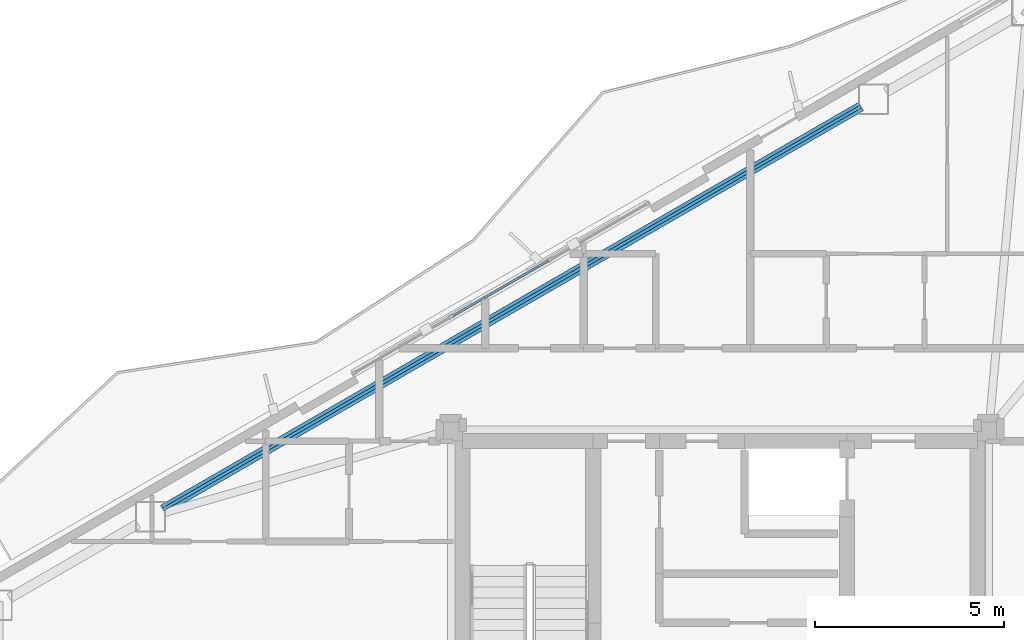
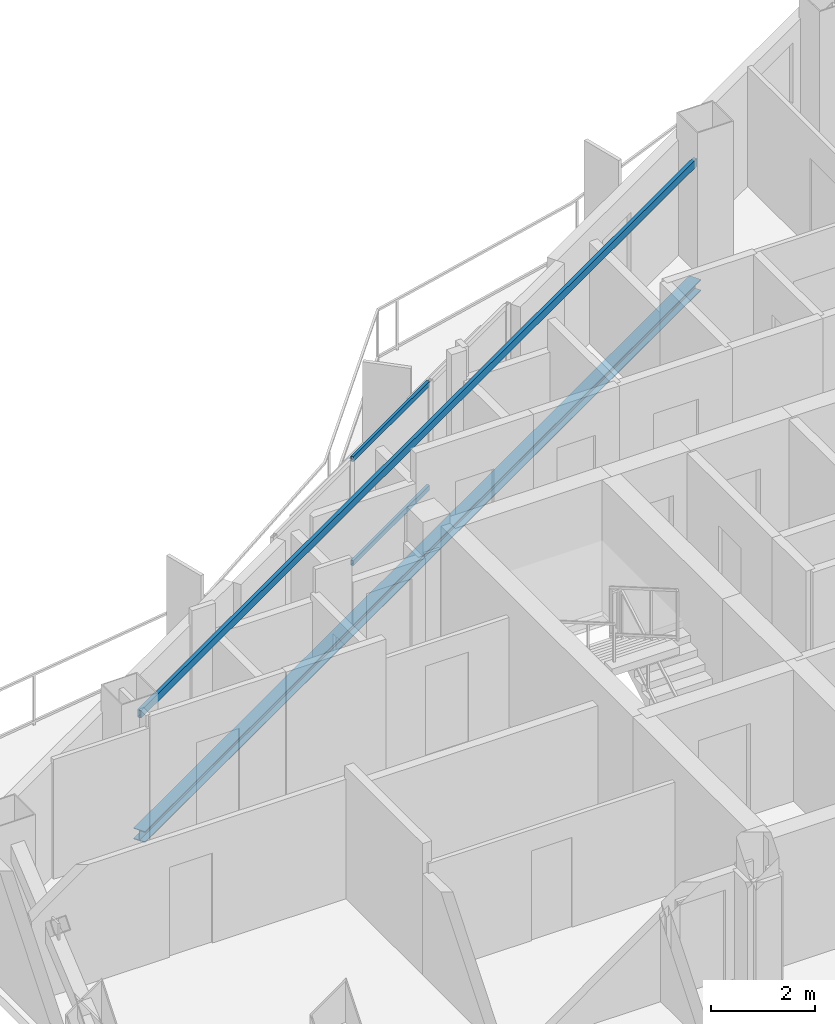
# One storey, part 9 of 22: 2 beams, 2 members, 1 element without a shape of its own.
"""IFC4 building model written with IfcOpenShell, lengths in metres."""

from ifc_helpers import new_model, si_unit, direction, frame, origin, origin_2d, place, context, subcontext, project, spatial, hollow_rectangle, i_section, extrude, material, layer, layer_set, material_profile, profile_set, type_object, element, aggregate, save


model = new_model("IFC4")

# Units and contexts
model_context = context("Model", 3, precision=1e-05, world=origin(), true_north=direction((0.0, 1.0)))
body_context = subcontext(model_context, "Body", "Model", "MODEL_VIEW")
ifc_project = project(units=[si_unit("LENGTHUNIT", "METRE"), si_unit("AREAUNIT", "SQUARE_METRE"), si_unit("VOLUMEUNIT", "CUBIC_METRE"), si_unit("PLANEANGLEUNIT", "RADIAN"), si_unit("MASSUNIT", "GRAM", prefix="KILO")], contexts=[model_context])

# Site, building, storey
site_placement = place(None, origin())
site = spatial("IfcSite", under=ifc_project, at=site_placement, CompositionType="ELEMENT")
building_placement = place(site_placement, origin())
building = spatial("IfcBuilding", under=site, at=building_placement, Name="Mersakhor Tower and Convention Hall", CompositionType="ELEMENT")
storey_placement = place(building_placement, frame((0.0, 0.0, 201.89990234375)))
storey = spatial("IfcBuildingStorey", under=building, at=storey_placement, Name="L56", CompositionType="ELEMENT", Elevation=201.89990234375)

# Beams
ifc_material_1 = material(Name="Steel S355", Category="steel")
ifc_material_profile_1 = material_profile(ifc_material_1, hollow_rectangle(XDim=0.080078125, YDim=0.179931640625, WallThickness=0.008056640625, at=origin_2d()), Name="RHS 180x80x8")
ifc_profile_set_1 = profile_set([ifc_material_profile_1], Name="Steel S355")
beam_type_1 = type_object("IfcBeamType", Name="BM-GRT-RHS180", PredefinedType="USERDEFINED", material=ifc_profile_set_1)
beam_1_placement = place(storey_placement, frame((14.288818359375, 30.94482421875, 2.47998046875), z_axis=(0.866024569776, 0.500001444543, 0.0), x_axis=(-0.500001444543, 0.866024569776, 0.0)))
element("IfcBeam", 1, at=beam_1_placement, inside=storey, type_object=beam_type_1, Name="L56 Facade Support Girt GRT-F1", ObjectType="GIRT", PredefinedType="USERDEFINED", context=body_context, shape_type="SweptSolid", body=[
    extrude(hollow_rectangle(XDim=0.080078125, YDim=0.179931640625, WallThickness=0.008056640625, at=origin_2d()), origin(), (0.0, 0.0, 1.0), 21.28564453125),
])
ifc_material_2 = material(Name="Steel S355", Category="steel")
ifc_material_profile_2 = material_profile(ifc_material_2, i_section(OverallWidth=0.25634765625, OverallDepth=0.26025390625, WebThickness=0.01025390625, FlangeThickness=0.017333984375, at=origin_2d()), Name="UC 254x254x89")
ifc_profile_set_2 = profile_set([ifc_material_profile_2], Name="Steel S355")
beam_type_2 = type_object("IfcBeamType", Name="BM-SPD-UC254", PredefinedType="SPANDREL", material=ifc_profile_set_2)
beam_2_placement = place(storey_placement, frame((14.288818359375, 30.94482421875, -0.360107421875), z_axis=(0.866024569776, 0.500001444543, 0.0), x_axis=(-0.500001444543, 0.866024569776, 0.0)))
element("IfcBeam", 2, at=beam_2_placement, inside=storey, type_object=beam_type_2, Name="L56 Perimeter Spandrel Beam SPB-02", PredefinedType="SPANDREL", context=body_context, shape_type="SweptSolid", body=[
    extrude(i_section(OverallWidth=0.25634765625, OverallDepth=0.26025390625, WebThickness=0.01025390625, FlangeThickness=0.017333984375, at=origin_2d()), origin(), (0.0, 0.0, 1.0), 21.28564453125),
])

# Curtain wall, members
ifc_material_3 = material(Name="Dark solar low-E aluminium curtain wall", Category="aluminium")
ifc_layer = layer(ifc_material_3, 0.169921875)
ifc_layer_set = layer_set([ifc_layer], Name="Dark solar low-E aluminium curtain wall")
curtain_wall_type = type_object("IfcCurtainWallType", Name="CW-SYS-02", PredefinedType="USERDEFINED", material=ifc_layer_set)
curtain_wall_placement = place(storey_placement, origin())
curtain_wall = element("IfcCurtainWall", 3, at=curtain_wall_placement, inside=storey, type_object=curtain_wall_type, Name="L56 Dark-Glass Curtain Wall F1-B2", ObjectType="CURTAIN WALL", PredefinedType="USERDEFINED")
ifc_material_4 = material(Name="Anodised aluminium EN AW-6063 T6", Category="aluminium")
ifc_material_profile_3 = material_profile(ifc_material_4, hollow_rectangle(XDim=0.06005859375, YDim=0.1201171875, WallThickness=0.0048828125, at=origin_2d()), Name="RHS 120x60x5")
ifc_profile_set_3 = profile_set([ifc_material_profile_3], Name="Anodised aluminium EN AW-6063 T6")
member_type = type_object("IfcMemberType", Name="CWT-120x60", PredefinedType="USERDEFINED", material=ifc_profile_set_3)
member_1_placement = place(storey_placement, frame((21.939453125, 36.0546875, 0.22998046875), z_axis=(0.866004860328, 0.500035580622, 0.0), x_axis=(-0.500035580622, 0.866004860328, 0.0)))
member_1 = element("IfcMember", 4, at=member_1_placement, type_object=member_type, Name="CW-02 transom 2.1", ObjectType="TRANSOM", PredefinedType="USERDEFINED", context=body_context, shape_type="SweptSolid", body=[
    extrude(hollow_rectangle(XDim=0.06005859375, YDim=0.1201171875, WallThickness=0.0048828125, at=origin_2d()), origin(), (0.0, 0.0, 1.0), 2.924560546875),
])
member_2_placement = place(storey_placement, frame((21.939453125, 36.0546875, 2.66015625), z_axis=(0.866004860328, 0.500035580622, 0.0), x_axis=(-0.500035580622, 0.866004860328, 0.0)))
member_2 = element("IfcMember", 5, at=member_2_placement, type_object=member_type, Name="CW-02 transom 2.2", ObjectType="TRANSOM", PredefinedType="USERDEFINED", context=body_context, shape_type="SweptSolid", body=[
    extrude(hollow_rectangle(XDim=0.06005859375, YDim=0.1201171875, WallThickness=0.0048828125, at=origin_2d()), origin(), (0.0, 0.0, 1.0), 2.924560546875),
])
aggregate(curtain_wall, [member_1, member_2])

save(model, "model.ifc")
